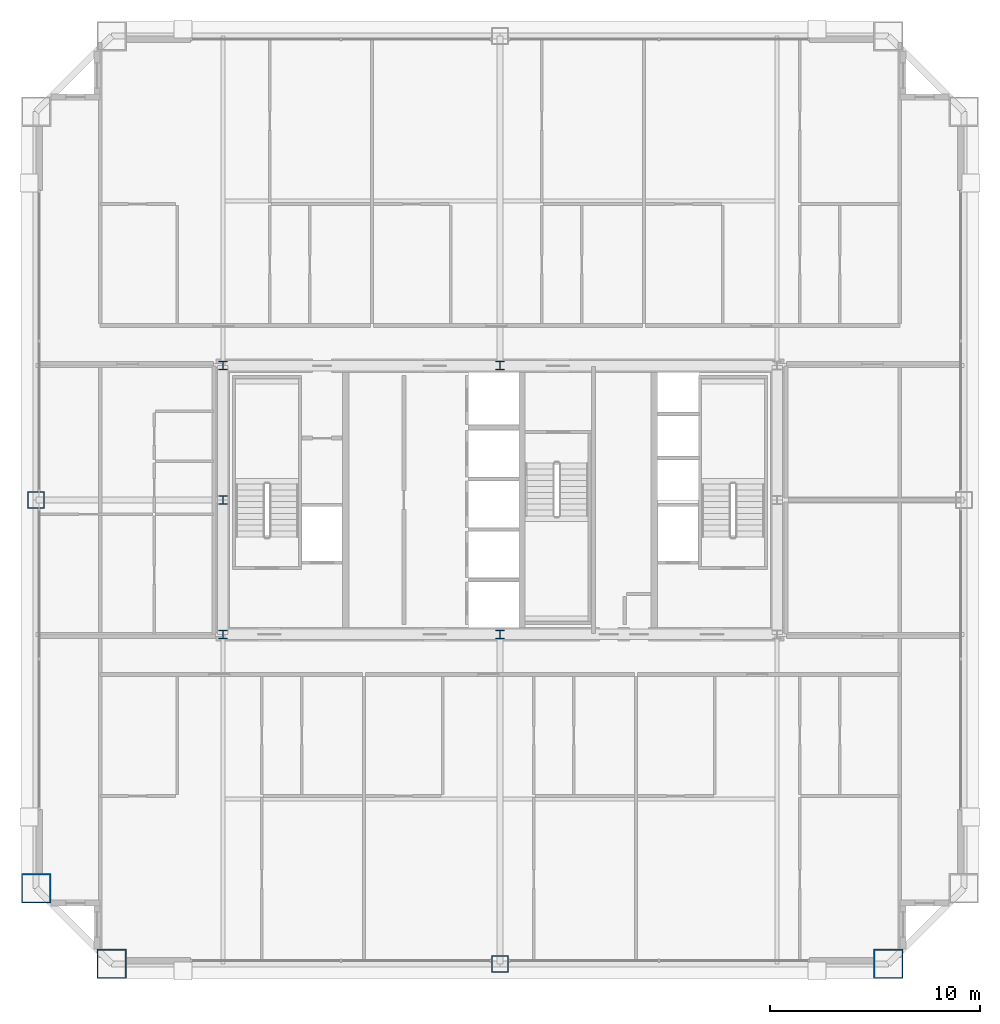
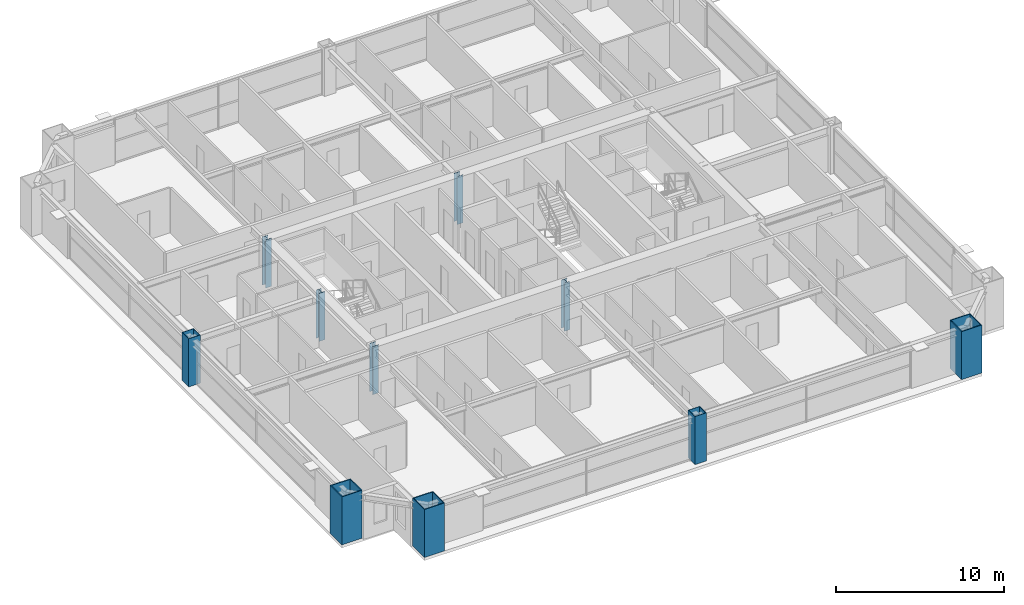
# One storey, part 1 of 38: 10 columns.
"""IFC4 building model written with IfcOpenShell, lengths in metres."""

from ifc_helpers import new_model, si_unit, direction, frame, origin, origin_2d, place, context, subcontext, project, spatial, hollow_rectangle, i_section, extrude, source, transform, mapped, material, material_profile, profile_set, type_object, element, save


model = new_model("IFC4")

# Units and contexts
model_context = context("Model", 3, precision=1e-05, world=origin(), true_north=direction((0.0, 1.0)))
body_context = subcontext(model_context, "Body", "Model", "MODEL_VIEW")
ifc_project = project(units=[si_unit("LENGTHUNIT", "METRE"), si_unit("AREAUNIT", "SQUARE_METRE"), si_unit("VOLUMEUNIT", "CUBIC_METRE"), si_unit("PLANEANGLEUNIT", "RADIAN"), si_unit("MASSUNIT", "GRAM", prefix="KILO"), si_unit("THERMODYNAMICTEMPERATUREUNIT", "KELVIN"), si_unit("POWERUNIT", "WATT")], contexts=[model_context])

# Site, building, storey
site_placement = place(None, origin())
site = spatial("IfcSite", under=ifc_project, at=site_placement, CompositionType="ELEMENT")
building_placement = place(site_placement, origin())
building = spatial("IfcBuilding", under=site, at=building_placement, Name="Yuzanri Waterfront Tower", CompositionType="ELEMENT")
storey_placement = place(building_placement, frame((0.0, 0.0, 202.0)))
storey = spatial("IfcBuildingStorey", under=building, at=storey_placement, Name="L53", CompositionType="ELEMENT", Elevation=202.0)

# Columns
ifc_material_1 = material(Name="Steel Q355B", Category="steel")
ifc_material_profile_1 = material_profile(ifc_material_1, i_section(OverallWidth=0.39990234375, OverallDepth=0.39990234375, WebThickness=0.012939453125, FlangeThickness=0.02099609375, at=origin_2d()), Name="HW 400x400x13x21")
ifc_profile_set_1 = profile_set([ifc_material_profile_1], Name="Steel Q355B")
column_type_1 = type_object("IfcColumnType", Name="Core Post Q355B HW 400x400x13x21", PredefinedType="COLUMN", material=ifc_profile_set_1)
shared_shape_1 = source(origin(), body_context, "Body", "SweptSolid", [
    extrude(i_section(OverallWidth=0.39990234375, OverallDepth=0.39990234375, WebThickness=0.012939453125, FlangeThickness=0.02099609375, at=origin_2d()), origin(), (0.0, 0.0, 1.0), 3.5),
])
for number, where, z_axis, x_axis, name in (
    (1, (23.800048828125, 19.39990234375, 0.0), (0.0, 0.0, 1.0), (1.0, 0.0, 0.0), "L53 Core Boundary Column CP1"),
    (2, (37.0, 19.39990234375, 0.0), (0.0, 0.0, 1.0), (1.0, 0.0, 0.0), "L53 Core Boundary Column CP2"),
    (3, (23.800048828125, 25.800048828125, 0.0), (0.0, 0.0, 1.0), (1.0, 0.0, 0.0), "L53 Core Boundary Column CP4"),
    (4, (23.800048828125, 32.199951171875, 0.0), (0.0, 0.0, 1.0), (1.0, 0.0, 0.0), "L53 Core Boundary Column CP6"),
    (5, (37.0, 32.199951171875, 0.0), (0.0, 0.0, 1.0), (1.0, 0.0, 0.0), "L53 Core Boundary Column CP7"),
):
    element("IfcColumn", number, at=place(storey_placement, frame(where, z_axis=z_axis, x_axis=x_axis)), inside=storey, type_object=column_type_1, Name=name, PredefinedType="COLUMN", context=body_context, shape_type="MappedRepresentation", body=[
        mapped(shared_shape_1, transform((0.0, 0.0, 0.0), scale=1.0)),
    ])
ifc_material_2 = material(Name="Steel Q420GJC", Category="steel")
ifc_material_profile_2 = material_profile(ifc_material_2, hollow_rectangle(XDim=1.39990234375, YDim=1.39990234375, WallThickness=0.06005859375, at=origin_2d()), Name="RHS 1400x1400x60")
ifc_profile_set_2 = profile_set([ifc_material_profile_2], Name="Steel Q420GJC")
column_type_2 = type_object("IfcColumnType", Name="Mega Column Q420GJC RHS 1400x1400x60", PredefinedType="COLUMN", material=ifc_profile_set_2)
shared_shape_2 = source(origin(), body_context, "Body", "SweptSolid", [
    extrude(hollow_rectangle(XDim=1.39990234375, YDim=1.39990234375, WallThickness=0.06005859375, at=origin_2d()), origin(), (0.0, 0.0, 1.0), 3.5),
])
for number, where, z_axis, x_axis, name in (
    (6, (18.5, 3.699951171875, 0.0), (0.0, 0.0, 1.0), (1.0, 0.0, 0.0), "L53 Perimeter Mega Column S1"),
    (7, (55.5, 3.699951171875, 0.0), (0.0, 0.0, 1.0), (1.0, 0.0, 0.0), "L53 Perimeter Mega Column S3"),
    (8, (14.89990234375, 7.300048828125, 0.0), (0.0, 0.0, 1.0), (1.0, 0.0, 0.0), "L53 Perimeter Mega Column W1"),
):
    element("IfcColumn", number, at=place(storey_placement, frame(where, z_axis=z_axis, x_axis=x_axis)), inside=storey, type_object=column_type_2, Name=name, PredefinedType="COLUMN", context=body_context, shape_type="MappedRepresentation", body=[
        mapped(shared_shape_2, transform((0.0, 0.0, 0.0), scale=1.0)),
    ])
ifc_material_3 = material(Name="Steel Q390GJC", Category="steel")
ifc_material_profile_3 = material_profile(ifc_material_3, hollow_rectangle(XDim=0.800048828125, YDim=0.800048828125, WallThickness=0.035888671875, at=origin_2d()), Name="RHS 800x800x36")
ifc_profile_set_3 = profile_set([ifc_material_profile_3], Name="Steel Q390GJC")
column_type_3 = type_object("IfcColumnType", Name="Frame Column Q390GJC RHS 800x800x36", PredefinedType="COLUMN", material=ifc_profile_set_3)
shared_shape_3 = source(origin(), body_context, "Body", "SweptSolid", [
    extrude(hollow_rectangle(XDim=0.800048828125, YDim=0.800048828125, WallThickness=0.035888671875, at=origin_2d()), origin(), (0.0, 0.0, 1.0), 3.5),
])
for number, where, z_axis, x_axis, name in (
    (9, (37.0, 3.699951171875, 0.0), (0.0, 0.0, 1.0), (1.0, 0.0, 0.0), "L53 Perimeter Frame Column S2"),
    (10, (14.89990234375, 25.800048828125, 0.0), (0.0, 0.0, 1.0), (1.0, 0.0, 0.0), "L53 Perimeter Frame Column W2"),
):
    element("IfcColumn", number, at=place(storey_placement, frame(where, z_axis=z_axis, x_axis=x_axis)), inside=storey, type_object=column_type_3, Name=name, PredefinedType="COLUMN", context=body_context, shape_type="MappedRepresentation", body=[
        mapped(shared_shape_3, transform((0.0, 0.0, 0.0), scale=1.0)),
    ])

save(model, "model.ifc")
